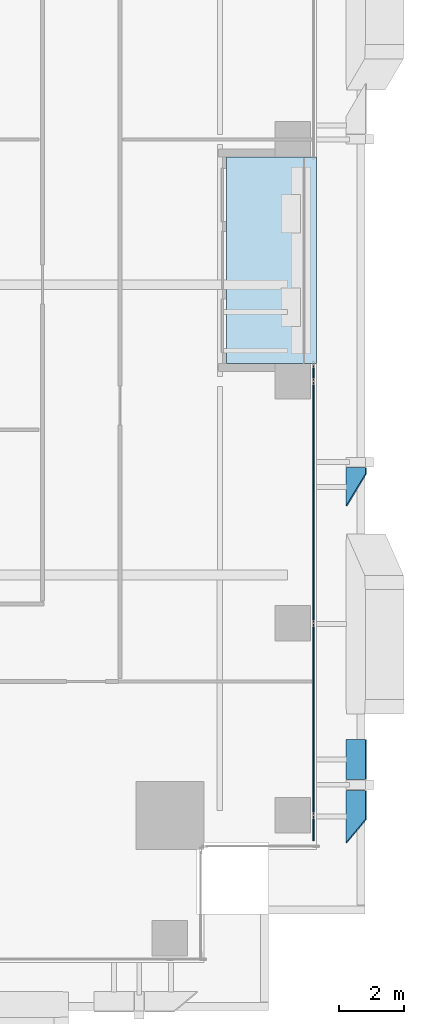
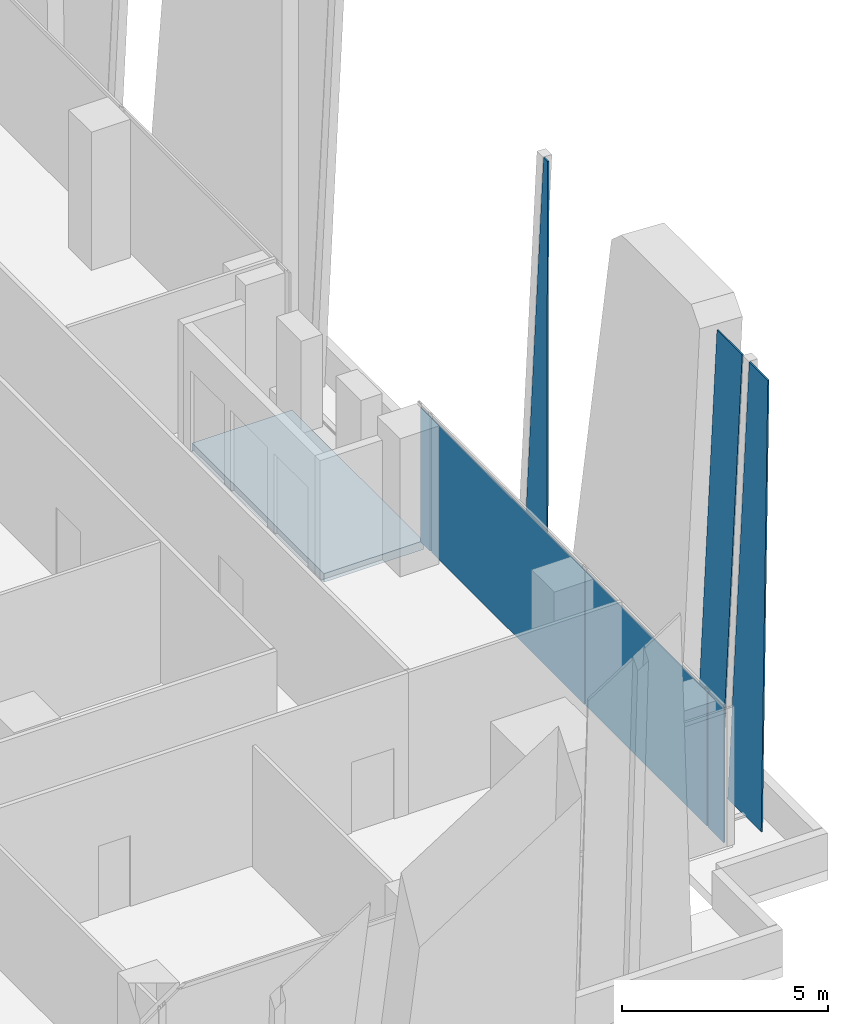
# One storey, part 23 of 37: 7 plates, 1 slab, 1 element without a shape of its own.
"""IFC4 building model written with IfcOpenShell, lengths in metres."""

from ifc_helpers import new_model, si_unit, direction, frame, origin, origin_2d, place, context, subcontext, project, spatial, polyline, rectangle, outline, extrude, source, transform, mapped, material, layer, layer_set, type_object, element, aggregate, save


model = new_model("IFC4")

# Units and contexts
model_context = context("Model", 3, precision=1e-05, world=origin(), true_north=direction((0.0, 1.0)))
body_context = subcontext(model_context, "Body", "Model", "MODEL_VIEW")
ifc_project = project(units=[si_unit("LENGTHUNIT", "METRE"), si_unit("AREAUNIT", "SQUARE_METRE"), si_unit("VOLUMEUNIT", "CUBIC_METRE"), si_unit("PLANEANGLEUNIT", "RADIAN"), si_unit("MASSUNIT", "GRAM", prefix="KILO")], contexts=[model_context])

# Site, building, storey
site_placement = place(None, origin())
site = spatial("IfcSite", under=ifc_project, at=site_placement, CompositionType="ELEMENT")
building_placement = place(site_placement, origin())
building = spatial("IfcBuilding", under=site, at=building_placement, Name="Khomas Fold Tower", CompositionType="ELEMENT")
storey_placement = place(building_placement, frame((0.0, 0.0, 101.5)))
storey = spatial("IfcBuildingStorey", under=building, at=storey_placement, Name="L21", CompositionType="ELEMENT", Elevation=101.5)

# Plates
ifc_material_1 = material(Name="Clear laminated glass", Category="glass")
ifc_layer_1 = layer(ifc_material_1, 0.0400390625)
ifc_layer_set_1 = layer_set([ifc_layer_1], Name="Clear laminated glass")
plate_type_1 = type_object("IfcPlateType", Name="SK-Clear laminated glass leaf", PredefinedType="SHEET", material=ifc_layer_set_1)
plate_1_placement = place(storey_placement, frame((53.39990234375, 5.200439453125, 0.0), z_axis=(-0.998875266546, 0.0, 0.047415207295), x_axis=(0.047338682976, 0.056791142868, 0.997263162453)))
element("IfcPlate", 1, at=plate_1_placement, inside=storey, type_object=plate_type_1, Name="OUTER SKIN glass L21 EG098-1", PredefinedType="SHEET", context=body_context, shape_type="SweptSolid", body=[
    extrude(outline(polyline([(0.0, 0.0), (12.784990441878577, 0.0), (12.836304899826393, 0.9021061729955084), (0.0925490426375765, 1.6270085665347254), (0.0, 0.0)])), origin(), (0.0, 0.0, -1.0), 0.0400390625),
])
plate_2_placement = place(storey_placement, frame((53.39990234375, 8.39990234375, 0.0), z_axis=(-0.998875266546, 0.0, 0.047415207295), x_axis=(0.0, -1.0, 0.0)))
element("IfcPlate", 2, at=plate_2_placement, inside=storey, type_object=plate_type_1, Name="OUTER SKIN glass L21 EG099-3", PredefinedType="SHEET", context=body_context, shape_type="SweptSolid", body=[
    extrude(outline(polyline([(0.0, 0.0), (1.22998046875, 0.0), (1.22998046875, 12.764356498773965), (0.0, 12.764356498773965), (0.0, 0.0)])), origin(), (0.0, 0.0, -1.0), 0.0400390625),
])
plate_3_placement = place(storey_placement, frame((53.39990234375, 15.6318359375, 0.0), z_axis=(-0.998875266546, 0.0, 0.047415207295), x_axis=(0.047269306815, 0.078388108236, 0.99580164547)))
element("IfcPlate", 3, at=plate_3_placement, inside=storey, type_object=plate_type_1, Name="OUTER SKIN glass L21 EG100-4", PredefinedType="SHEET", context=body_context, shape_type="SweptSolid", body=[
    extrude(outline(polyline([(0.0, 0.0), (12.803754701554862, 0.0), (12.81900746577953, 0.19398133927426586), (0.09392793828690887, 1.1945550980653659), (0.0, 0.0)])), origin(), (0.0, 0.0, -1.0), 0.0400390625),
])

# Curtain wall, plates
ifc_material_2 = material(Name="Aluminium framed double glazing", Category="aluminium")
curtain_wall_type = type_object("IfcCurtainWallType", Name="SK-Unitised clear-glass wall, growing floors CW1", PredefinedType="NOTDEFINED", material=ifc_material_2)
curtain_wall_placement = place(storey_placement, origin())
curtain_wall = element("IfcCurtainWall", 4, at=curtain_wall_placement, inside=storey, type_object=curtain_wall_type, Name="CW1 run L21 03-0", PredefinedType="NOTDEFINED")
ifc_material_3 = material(Name="Clear double glazed unit")
ifc_layer_2 = layer(ifc_material_3, 0.031982421875)
ifc_layer_set_2 = layer_set([ifc_layer_2], Name="Clear double glazed unit")
plate_type_2 = type_object("IfcPlateType", Name="SK-Unitised clear-glass wall, growing floors glass panel CW1-P", PredefinedType="CURTAIN_PANEL", material=ifc_layer_set_2)
shared_shape_1 = source(origin(), body_context, "Body", "SweptSolid", [
    extrude(rectangle(XDim=0.760009765625, YDim=0.031982421875, at=origin_2d()), origin(), (0.0, 0.0, 1.0), 3.97998046875),
])
plate_4_placement = place(storey_placement, frame((52.39990234375, 5.639892578125, 0.0), z_axis=(0.0, 0.0, 1.0), x_axis=(0.0, 1.0, 0.0)))
plate_4 = element("IfcPlate", 5, at=plate_4_placement, type_object=plate_type_2, Name="CW1 glass panel 1", PredefinedType="CURTAIN_PANEL", context=body_context, shape_type="MappedRepresentation", body=[
    mapped(shared_shape_1, transform((0.0, 0.0, 0.0))),
])
shared_shape_2 = source(origin(), body_context, "Body", "SweptSolid", [
    extrude(rectangle(XDim=5.889892578125, YDim=0.031982421875, at=origin_2d()), origin(), (0.0, 0.0, 1.0), 3.97998046875),
])
plate_5_placement = place(storey_placement, frame((52.39990234375, 9.02490234375, 0.0), z_axis=(0.0, 0.0, 1.0), x_axis=(0.0, 1.0, 0.0)))
plate_5 = element("IfcPlate", 6, at=plate_5_placement, type_object=plate_type_2, Name="CW1 glass panel 2", PredefinedType="CURTAIN_PANEL", context=body_context, shape_type="MappedRepresentation", body=[
    mapped(shared_shape_2, transform((0.0, 0.0, 0.0))),
])
shared_shape_3 = source(origin(), body_context, "Body", "SweptSolid", [
    extrude(rectangle(XDim=7.43994140625, YDim=0.031982421875, at=origin_2d()), origin(), (0.0, 0.0, 1.0), 3.97998046875),
])
plate_6_placement = place(storey_placement, frame((52.39990234375, 15.75, 0.0), z_axis=(0.0, 0.0, 1.0), x_axis=(0.0, 1.0, 0.0)))
plate_6 = element("IfcPlate", 7, at=plate_6_placement, type_object=plate_type_2, Name="CW1 glass panel 3", PredefinedType="CURTAIN_PANEL", context=body_context, shape_type="MappedRepresentation", body=[
    mapped(shared_shape_3, transform((0.0, 0.0, 0.0))),
])
shared_shape_4 = source(origin(), body_context, "Body", "SweptSolid", [
    extrude(rectangle(XDim=0.4599609375, YDim=0.031982421875, at=origin_2d()), origin(), (0.0, 0.0, 1.0), 3.97998046875),
])
plate_7_placement = place(storey_placement, frame((52.39990234375, 19.760009765625, 0.0), z_axis=(0.0, 0.0, 1.0), x_axis=(0.0, 1.0, 0.0)))
plate_7 = element("IfcPlate", 8, at=plate_7_placement, type_object=plate_type_2, Name="CW1 glass panel 4", PredefinedType="CURTAIN_PANEL", context=body_context, shape_type="MappedRepresentation", body=[
    mapped(shared_shape_4, transform((0.0, 0.0, 0.0))),
])
aggregate(curtain_wall, [plate_4, plate_5, plate_6, plate_7])

# Slab
ifc_material_4 = material(Name="Concrete C40/50", Category="concrete")
ifc_layer_3 = layer(ifc_material_4, 0.2548828125)
ifc_layer_set_3 = layer_set([ifc_layer_3], Name="Concrete C40/50")
slab_type = type_object("IfcSlabType", Name="BL-Balcony deck 255", PredefinedType="FLOOR", material=ifc_layer_set_3)
shared_shape_5 = source(origin(), body_context, "Body", "SweptSolid", [
    extrude(outline(polyline([(49.699951171875, 20.050048828125), (52.5, 20.050048828125), (52.5, 26.449951171875), (49.699951171875, 26.449951171875), (49.699951171875, 20.050048828125)])), origin(), (0.0, 0.0, 1.0), 0.255126953125),
])
slab_placement = place(storey_placement, frame((0.0, 0.0, -0.300048828125)))
element("IfcSlab", 9, at=slab_placement, inside=storey, type_object=slab_type, Name="Balcony deck BAL-L21-E2", PredefinedType="FLOOR", context=body_context, shape_type="MappedRepresentation", body=[
    mapped(shared_shape_5, transform((0.0, 0.0, 0.0))),
])

save(model, "model.ifc")
